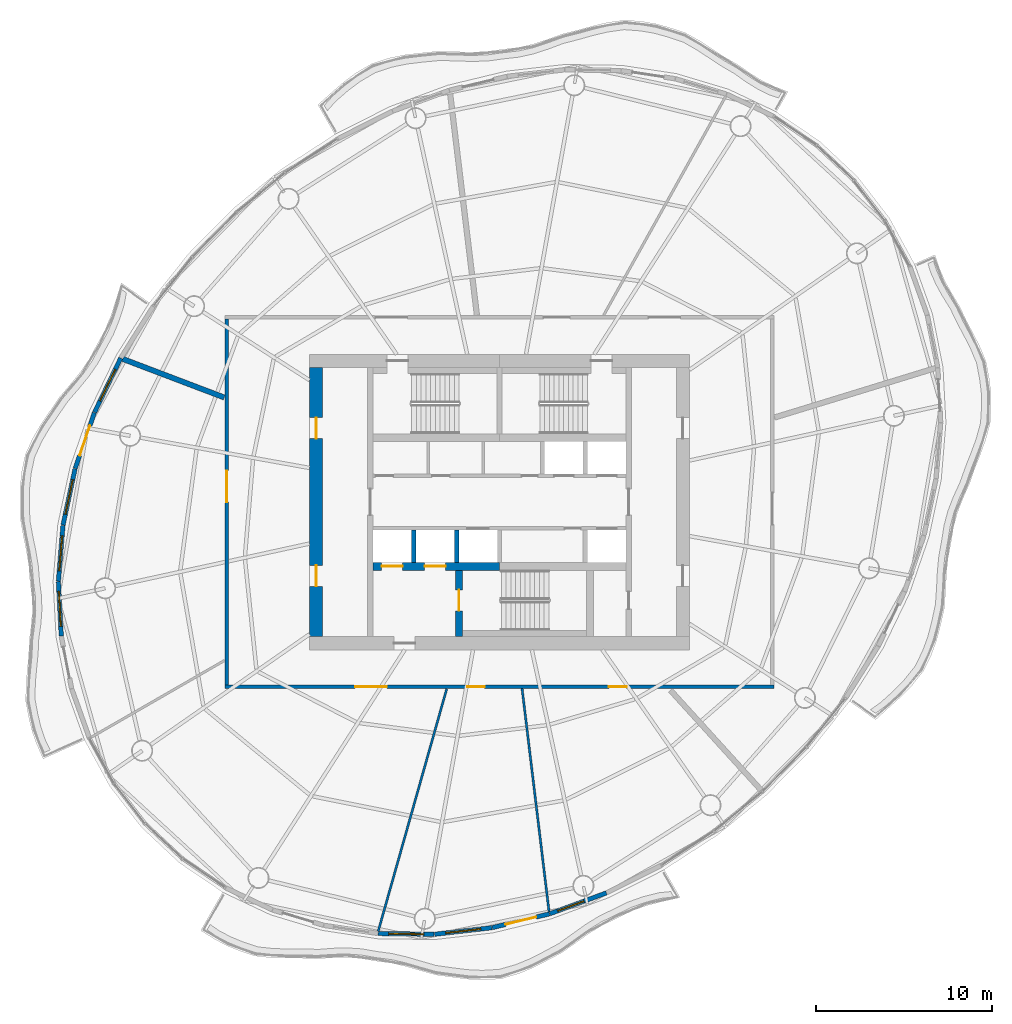
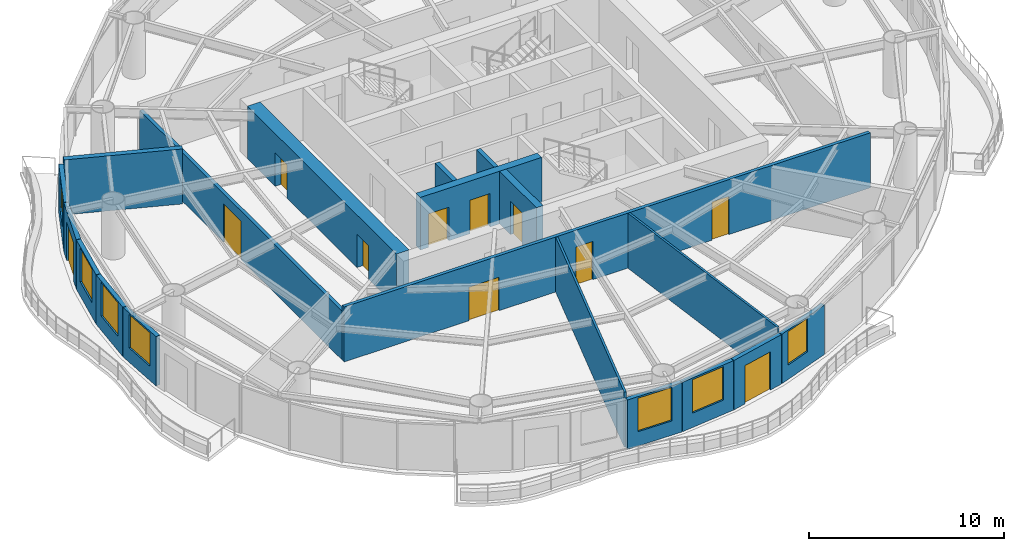
# One storey, part 8 of 14: 19 walls, 11 doors, 7 windows, 18 openings.
"""IFC4 building model written with IfcOpenShell, lengths in metres."""

from ifc_helpers import new_model, si_unit, direction, frame, frame_2d, origin, place, context, subcontext, project, spatial, rectangle, extrude, material, layer, layer_set, type_object, element, fill, save


model = new_model("IFC4")

# Units and contexts
model_context = context("Model", 3, precision=1e-05, world=origin(), true_north=direction((0.0, 1.0)))
body_context = subcontext(model_context, "Body", "Model", "MODEL_VIEW")
ifc_project = project(units=[si_unit("LENGTHUNIT", "METRE"), si_unit("AREAUNIT", "SQUARE_METRE"), si_unit("VOLUMEUNIT", "CUBIC_METRE"), si_unit("PLANEANGLEUNIT", "RADIAN"), si_unit("MASSUNIT", "GRAM", prefix="KILO")], contexts=[model_context])

# Site, building, storey
site_placement = place(None, origin())
site = spatial("IfcSite", under=ifc_project, at=site_placement, CompositionType="ELEMENT")
building_placement = place(site_placement, origin())
building = spatial("IfcBuilding", under=site, at=building_placement, Name="Vermilion Reach Broadcast Tower", CompositionType="ELEMENT")
storey_placement = place(building_placement, frame((0.0, 0.0, 202.89990234375)))
storey = spatial("IfcBuildingStorey", under=building, at=storey_placement, Name="L49", CompositionType="ELEMENT", Elevation=202.89990234375)

# Wall, opening, door
ifc_material_1 = material(Name="Concrete C60", Category="concrete")
ifc_layer_1 = layer(ifc_material_1, 0.39990234375)
ifc_layer_set_1 = layer_set([ifc_layer_1], Name="Core inner wall 400 mm Concrete C60")
wall_type_1 = type_object("IfcWallType", Name="Core inner wall 400 mm Concrete C60", PredefinedType="SHEAR", material=ifc_layer_set_1)
wall_1_placement = place(storey_placement, frame((-8.300048828125, -3.8798828125, 0.0), z_axis=(0.0, 0.0, 1.0), x_axis=(0.0, -1.0, 0.0)))
wall_1 = element("IfcWall", 1, at=wall_1_placement, inside=storey, type_object=wall_type_1, Name="L49 core wall wa", PredefinedType="SHEAR", context=body_context, shape_type="SweptSolid", body=[
    extrude(rectangle(XDim=3.77001953125, YDim=0.39990234375, at=frame_2d((1.885009765625, 0.0))), origin(), (0.0, 0.0, 1.0), 3.300048828125),
])
opening_1_placement = place(wall_1_placement, frame((1.110107421875, 0.0, 0.0)))
opening_1 = element("IfcOpeningElement", 2, at=opening_1_placement, cuts=wall_1, Name="Opening D01", PredefinedType="OPENING", context=body_context, shape_type="SweptSolid", body=[
    extrude(rectangle(XDim=1.199951171875, YDim=2.10009765625, at=frame_2d((0.60009765625, 1.050048828125))), frame((0.0, 0.2099609375, 0.0), z_axis=(0.0, -1.0, 0.0), x_axis=(1.0, 0.0, 0.0)), (0.0, 0.0, 1.0), 0.419921875),
])
ifc_material_2 = material(Name="Painted steel fire door", Category="steel")
door_type_1 = type_object("IfcDoorType", Name="Stair door 1200 x 2100", OperationType="DOUBLE_DOOR_SINGLE_SWING", PredefinedType="NOTDEFINED", material=ifc_material_2)
door_1_placement = place(opening_1_placement, origin())
door_1 = element("IfcDoor", 3, at=door_1_placement, inside=storey, type_object=door_type_1, Name="L49 stair door ST3", OperationType="DOUBLE_DOOR_SINGLE_SWING", OverallHeight=2.10009765625, OverallWidth=1.199951171875, PredefinedType="NOTDEFINED", context=body_context, shape_type="SweptSolid", body=[
    extrude(rectangle(XDim=1.199951171875, YDim=2.10009765625, at=frame_2d((0.60009765625, 1.050048828125))), frame((0.0, 0.02490234375, 0.0), z_axis=(0.0, -1.0, 0.0), x_axis=(1.0, 0.0, 0.0)), (0.0, 0.0, 1.0), 0.050048828125),
])
fill(opening_1, door_1)

# Wall, openings, doors
ifc_material_3 = material(Name="Concrete C60", Category="concrete")
ifc_layer_2 = layer(ifc_material_3, 0.449951171875)
ifc_layer_set_2 = layer_set([ifc_layer_2], Name="Core inner wall 450 mm Concrete C60")
wall_type_2 = type_object("IfcWallType", Name="Core inner wall 450 mm Concrete C60", PredefinedType="SHEAR", material=ifc_layer_set_2)
wall_2_placement = place(storey_placement, frame((-13.199951171875, -3.655029296875, 0.0), z_axis=(0.0, 0.0, 1.0), x_axis=(1.0, 0.0, 0.0)))
wall_2 = element("IfcWall", 4, at=wall_2_placement, inside=storey, type_object=wall_type_2, Name="L49 core wall wisW", PredefinedType="SHEAR", context=body_context, shape_type="SweptSolid", body=[
    extrude(rectangle(XDim=7.199951171875, YDim=0.449951171875, at=frame_2d((3.60009765625, 0.0))), origin(), (0.0, 0.0, 1.0), 3.300048828125),
])
opening_2_placement = place(wall_2_placement, frame((0.495849609375, 0.0, 0.0)))
opening_2 = element("IfcOpeningElement", 5, at=opening_2_placement, cuts=wall_2, Name="Opening LD1", PredefinedType="OPENING", context=body_context, shape_type="SweptSolid", body=[
    extrude(rectangle(XDim=1.199951171875, YDim=2.10009765625, at=frame_2d((0.60009765625, 1.050048828125))), frame((0.0, 0.23486328125, 0.0), z_axis=(0.0, -1.0, 0.0), x_axis=(1.0, 0.0, 0.0)), (0.0, 0.0, 1.0), 0.469970703125),
])
opening_3_placement = place(wall_2_placement, frame((2.9375, 0.0, 0.0)))
opening_3 = element("IfcOpeningElement", 6, at=opening_3_placement, cuts=wall_2, Name="Opening LD1", PredefinedType="OPENING", context=body_context, shape_type="SweptSolid", body=[
    extrude(rectangle(XDim=1.199951171875, YDim=2.10009765625, at=frame_2d((0.60009765625, 1.050048828125))), frame((0.0, 0.23486328125, 0.0), z_axis=(0.0, -1.0, 0.0), x_axis=(1.0, 0.0, 0.0)), (0.0, 0.0, 1.0), 0.469970703125),
])
ifc_material_4 = material(Name="Stainless steel", Category="steel")
door_type_2 = type_object("IfcDoorType", Name="Landing door 1200 x 2100", OperationType="DOUBLE_DOOR_SLIDING", PredefinedType="NOTDEFINED", material=ifc_material_4)
door_2_placement = place(opening_2_placement, origin())
door_2 = element("IfcDoor", 7, at=door_2_placement, inside=storey, type_object=door_type_2, Name="L49 landing door FF1", OperationType="DOUBLE_DOOR_SLIDING", OverallHeight=2.10009765625, OverallWidth=1.199951171875, PredefinedType="NOTDEFINED", context=body_context, shape_type="SweptSolid", body=[
    extrude(rectangle(XDim=1.199951171875, YDim=2.10009765625, at=frame_2d((0.60009765625, 1.050048828125))), frame((0.0, 0.02490234375, 0.0), z_axis=(0.0, -1.0, 0.0), x_axis=(1.0, 0.0, 0.0)), (0.0, 0.0, 1.0), 0.050048828125),
])
fill(opening_2, door_2)
door_3_placement = place(opening_3_placement, origin())
door_3 = element("IfcDoor", 8, at=door_3_placement, inside=storey, type_object=door_type_2, Name="L49 landing door FF2", OperationType="DOUBLE_DOOR_SLIDING", OverallHeight=2.10009765625, OverallWidth=1.199951171875, PredefinedType="NOTDEFINED", context=body_context, shape_type="SweptSolid", body=[
    extrude(rectangle(XDim=1.199951171875, YDim=2.10009765625, at=frame_2d((0.60009765625, 1.050048828125))), frame((0.0, 0.02490234375, 0.0), z_axis=(0.0, -1.0, 0.0), x_axis=(1.0, 0.0, 0.0)), (0.0, 0.0, 1.0), 0.050048828125),
])
fill(opening_3, door_3)

ifc_material_5 = material(Name="Concrete C60", Category="concrete")
ifc_layer_3 = layer(ifc_material_5, 0.75)
ifc_layer_set_3 = layer_set([ifc_layer_3], Name="Core outer wall 750 mm Concrete C60")
wall_type_3 = type_object("IfcWallType", Name="Core outer wall 750 mm Concrete C60", PredefinedType="SHEAR", material=ifc_layer_set_3)
wall_3_placement = place(storey_placement, frame((-16.425048828125, 7.64990234375, 0.0), z_axis=(0.0, 0.0, 1.0), x_axis=(0.0, -1.0, 0.0)))
wall_3 = element("IfcWall", 9, at=wall_3_placement, inside=storey, type_object=wall_type_3, Name="L49 core wall ow", PredefinedType="SHEAR", context=body_context, shape_type="SweptSolid", body=[
    extrude(rectangle(XDim=15.2998046875, YDim=0.75, at=frame_2d((7.64990234375, 0.0))), origin(), (0.0, 0.0, 1.0), 3.300048828125),
])
opening_4_placement = place(wall_3_placement, frame((11.25, 0.0, 0.0)))
opening_4 = element("IfcOpeningElement", 10, at=opening_4_placement, cuts=wall_3, Name="Opening D03", PredefinedType="OPENING", context=body_context, shape_type="SweptSolid", body=[
    extrude(rectangle(XDim=1.199951171875, YDim=2.10009765625, at=frame_2d((0.60009765625, 1.050048828125))), frame((0.0, 0.385009765625, 0.0), z_axis=(0.0, -1.0, 0.0), x_axis=(1.0, 0.0, 0.0)), (0.0, 0.0, 1.0), 0.77001953125),
])
opening_5_placement = place(wall_3_placement, frame((2.85009765625, 0.0, 0.0)))
opening_5 = element("IfcOpeningElement", 11, at=opening_5_placement, cuts=wall_3, Name="Opening D03", PredefinedType="OPENING", context=body_context, shape_type="SweptSolid", body=[
    extrude(rectangle(XDim=1.199951171875, YDim=2.10009765625, at=frame_2d((0.60009765625, 1.050048828125))), frame((0.0, 0.385009765625, 0.0), z_axis=(0.0, -1.0, 0.0), x_axis=(1.0, 0.0, 0.0)), (0.0, 0.0, 1.0), 0.77001953125),
])
ifc_material_6 = material(Name="Painted steel fire door", Category="steel")
door_type_3 = type_object("IfcDoorType", Name="Core lobby door 1200 x 2100", OperationType="DOUBLE_DOOR_SINGLE_SWING", PredefinedType="NOTDEFINED", material=ifc_material_6)
door_4_placement = place(opening_4_placement, origin())
door_4 = element("IfcDoor", 12, at=door_4_placement, inside=storey, type_object=door_type_3, Name="L49 slot door W0", OperationType="DOUBLE_DOOR_SINGLE_SWING", OverallHeight=2.10009765625, OverallWidth=1.199951171875, PredefinedType="NOTDEFINED", context=body_context, shape_type="SweptSolid", body=[
    extrude(rectangle(XDim=1.199951171875, YDim=2.10009765625, at=frame_2d((0.60009765625, 1.050048828125))), frame((0.0, 0.02490234375, 0.0), z_axis=(0.0, -1.0, 0.0), x_axis=(1.0, 0.0, 0.0)), (0.0, 0.0, 1.0), 0.050048828125),
])
fill(opening_4, door_4)
door_5_placement = place(opening_5_placement, origin())
door_5 = element("IfcDoor", 13, at=door_5_placement, inside=storey, type_object=door_type_3, Name="L49 slot door W1", OperationType="DOUBLE_DOOR_SINGLE_SWING", OverallHeight=2.10009765625, OverallWidth=1.199951171875, PredefinedType="NOTDEFINED", context=body_context, shape_type="SweptSolid", body=[
    extrude(rectangle(XDim=1.199951171875, YDim=2.10009765625, at=frame_2d((0.60009765625, 1.050048828125))), frame((0.0, 0.02490234375, 0.0), z_axis=(0.0, -1.0, 0.0), x_axis=(1.0, 0.0, 0.0)), (0.0, 0.0, 1.0), 0.050048828125),
])
fill(opening_5, door_5)

# Walls
ifc_material_7 = material(Name="Concrete C50", Category="concrete")
ifc_layer_4 = layer(ifc_material_7, 0.25)
ifc_layer_set_4 = layer_set([ifc_layer_4], Name="Core shaft wall 250 mm Concrete C50")
wall_type_4 = type_object("IfcWallType", Name="Core shaft wall 250 mm Concrete C50", PredefinedType="SHEAR", material=ifc_layer_set_4)
for number, where, z_axis, x_axis, name in (
    (14, (-10.88330078125, -1.60009765625, 0.0), (0.0, 0.0, 1.0), (0.0, -1.0, 0.0), "L49 core wall psS0"),
    (15, (-8.441650390625, -1.60009765625, 0.0), (0.0, 0.0, 1.0), (0.0, -1.0, 0.0), "L49 core wall psS1"),
):
    element("IfcWall", number, at=place(storey_placement, frame(where, z_axis=z_axis, x_axis=x_axis)), inside=storey, type_object=wall_type_4, Name=name, PredefinedType="SHEAR", context=body_context, shape_type="SweptSolid", body=[
        extrude(rectangle(XDim=1.829833984375, YDim=0.25, at=frame_2d((0.9150390625, 0.0))), origin(), (0.0, 0.0, 1.0), 3.300048828125),
    ])

# Wall, openings, doors
ifc_material_8 = material(Name="Fire-rated gypsum board partition")
ifc_layer_5 = layer(ifc_material_8, 0.199951171875)
ifc_layer_set_5 = layer_set([ifc_layer_5], Name="Corridor wall 200 fire-rated")
wall_type_5 = type_object("IfcWallType", Name="Corridor wall 200 fire-rated", PredefinedType="PARTITIONING", material=ifc_layer_set_5)
wall_4_placement = place(storey_placement, frame((9.60009765625, -10.5, 0.0), z_axis=(0.0, 0.0, 1.0), x_axis=(-1.0, 0.0, 0.0)))
wall_4 = element("IfcWall", 16, at=wall_4_placement, inside=storey, type_object=wall_type_5, Name="Corridor wall 49.S", PredefinedType="PARTITIONING", context=body_context, shape_type="SweptSolid", body=[
    extrude(rectangle(XDim=31.2001953125, YDim=0.199951171875, at=frame_2d((15.60009765625, 0.0))), origin(), (0.0, 0.0, 1.0), 3.4501953125),
])
opening_6_placement = place(wall_4_placement, frame((22.001953125, 0.0, 0.0)))
opening_6 = element("IfcOpeningElement", 17, at=opening_6_placement, cuts=wall_4, Name="Opening D21", PredefinedType="OPENING", context=body_context, shape_type="SweptSolid", body=[
    extrude(rectangle(XDim=1.800048828125, YDim=2.10009765625, at=frame_2d((0.89990234375, 1.050048828125))), frame((0.0, 0.10986328125, 0.0), z_axis=(0.0, -1.0, 0.0), x_axis=(1.0, 0.0, 0.0)), (0.0, 0.0, 1.0), 0.219970703125),
])
opening_7_placement = place(wall_4_placement, frame((16.447509765625, 0.0, 0.0)))
opening_7 = element("IfcOpeningElement", 18, at=opening_7_placement, cuts=wall_4, Name="Opening D23", PredefinedType="OPENING", context=body_context, shape_type="SweptSolid", body=[
    extrude(rectangle(XDim=1.0, YDim=2.39990234375, at=frame_2d((0.5, 1.199951171875))), frame((0.0, 0.10986328125, 0.0), z_axis=(0.0, -1.0, 0.0), x_axis=(1.0, 0.0, 0.0)), (0.0, 0.0, 1.0), 0.219970703125),
])
opening_8_placement = place(wall_4_placement, frame((8.3779296875, 0.0, 0.0)))
opening_8 = element("IfcOpeningElement", 19, at=opening_8_placement, cuts=wall_4, Name="Opening D23", PredefinedType="OPENING", context=body_context, shape_type="SweptSolid", body=[
    extrude(rectangle(XDim=1.0, YDim=2.39990234375, at=frame_2d((0.5, 1.199951171875))), frame((0.0, 0.10986328125, 0.0), z_axis=(0.0, -1.0, 0.0), x_axis=(1.0, 0.0, 0.0)), (0.0, 0.0, 1.0), 0.219970703125),
])
ifc_material_9 = material(Name="Timber door leaf", Category="wood")
door_type_4 = type_object("IfcDoorType", Name="Door pair 1800x2100", OperationType="NOTDEFINED", PredefinedType="DOOR", material=ifc_material_9)
door_6_placement = place(opening_6_placement, origin())
door_6 = element("IfcDoor", 20, at=door_6_placement, inside=storey, type_object=door_type_4, Name="Door 49.04", OperationType="DOUBLE_DOOR_SINGLE_SWING", OverallHeight=2.10009765625, OverallWidth=1.800048828125, PredefinedType="DOOR", context=body_context, shape_type="SweptSolid", body=[
    extrude(rectangle(XDim=1.800048828125, YDim=2.10009765625, at=frame_2d((0.89990234375, 1.050048828125))), frame((0.0, 0.02490234375, 0.0), z_axis=(0.0, -1.0, 0.0), x_axis=(1.0, 0.0, 0.0)), (0.0, 0.0, 1.0), 0.050048828125),
])
fill(opening_6, door_6)
ifc_material_10 = material(Name="Veneered timber door leaf", Category="wood")
door_type_5 = type_object("IfcDoorType", Name="Door single 1000x2400", OperationType="NOTDEFINED", PredefinedType="DOOR", material=ifc_material_10)
door_7_placement = place(opening_7_placement, origin())
door_7 = element("IfcDoor", 21, at=door_7_placement, inside=storey, type_object=door_type_5, Name="Door 49.05", OperationType="SINGLE_SWING_RIGHT", OverallHeight=2.39990234375, OverallWidth=1.0, PredefinedType="DOOR", context=body_context, shape_type="SweptSolid", body=[
    extrude(rectangle(XDim=1.0, YDim=2.39990234375, at=frame_2d((0.5, 1.199951171875))), frame((0.0, 0.02490234375, 0.0), z_axis=(0.0, -1.0, 0.0), x_axis=(1.0, 0.0, 0.0)), (0.0, 0.0, 1.0), 0.050048828125),
])
fill(opening_7, door_7)
door_8_placement = place(opening_8_placement, origin())
door_8 = element("IfcDoor", 22, at=door_8_placement, inside=storey, type_object=door_type_5, Name="Door 49.06", OperationType="SINGLE_SWING_LEFT", OverallHeight=2.39990234375, OverallWidth=1.0, PredefinedType="DOOR", context=body_context, shape_type="SweptSolid", body=[
    extrude(rectangle(XDim=1.0, YDim=2.39990234375, at=frame_2d((0.5, 1.199951171875))), frame((0.0, 0.02490234375, 0.0), z_axis=(0.0, -1.0, 0.0), x_axis=(1.0, 0.0, 0.0)), (0.0, 0.0, 1.0), 0.050048828125),
])
fill(opening_8, door_8)

# Walls
ifc_material_11 = material(Name="Fire-rated plasterboard on steel stud", Category="steel")
ifc_layer_6 = layer(ifc_material_11, 0.125)
ifc_layer_set_6 = layer_set([ifc_layer_6], Name="Partition 125 fire-rated stud")
wall_type_6 = type_object("IfcWallType", Name="Partition 125 fire-rated stud", PredefinedType="PARTITIONING", material=ifc_layer_set_6)
wall_5_placement = place(storey_placement, frame((-12.89697265625, -24.403076171875, 0.0), z_axis=(0.0, 0.0, 1.0), x_axis=(0.271967297308, 0.962306494416, 0.0)))
element("IfcWall", 23, at=wall_5_placement, inside=storey, type_object=wall_type_6, Name="Partition 49.05", PredefinedType="PARTITIONING", context=body_context, shape_type="SweptSolid", body=[
    extrude(rectangle(XDim=14.326171875, YDim=0.125, at=frame_2d((7.1630859375, 0.0))), origin(), (0.0, 0.0, 1.0), 3.4501953125),
])
wall_6_placement = place(storey_placement, frame((-3.18359375, -23.288818359375, 0.0), z_axis=(0.0, 0.0, 1.0), x_axis=(-0.12006537802, 0.992765987029, 0.0)))
element("IfcWall", 24, at=wall_6_placement, inside=storey, type_object=wall_type_6, Name="Partition 49.06", PredefinedType="PARTITIONING", context=body_context, shape_type="SweptSolid", body=[
    extrude(rectangle(XDim=12.773681640625, YDim=0.125, at=frame_2d((6.38671875, 0.0))), origin(), (0.0, 0.0, 1.0), 3.4501953125),
])
ifc_material_12 = material(Name="Double-leaf plasterboard on isolated steel stud", Category="steel")
ifc_layer_7 = layer(ifc_material_12, 0.300048828125)
ifc_layer_set_7 = layer_set([ifc_layer_7], Name="Partition 300 acoustic double leaf")
wall_type_7 = type_object("IfcWallType", Name="Partition 300 acoustic double leaf", PredefinedType="PARTITIONING", material=ifc_layer_set_7)
wall_7_placement = place(storey_placement, frame((-27.418701171875, 8.134033203125, 0.0), z_axis=(0.0, 0.0, 1.0), x_axis=(0.934858486825, -0.355020576322, 0.0)))
element("IfcWall", 25, at=wall_7_placement, inside=storey, type_object=wall_type_7, Name="Partition 49.03", PredefinedType="PARTITIONING", context=body_context, shape_type="SweptSolid", body=[
    extrude(rectangle(XDim=6.167236328125, YDim=0.300048828125, at=frame_2d((3.08349609375, 0.0))), origin(), (0.0, 0.0, 1.0), 3.4501953125),
])

# Wall, opening, window
ifc_material_13 = material(Name="Terracotta rainscreen cladding", Category="masonry")
ifc_layer_8 = layer(ifc_material_13, 0.25)
ifc_layer_set_8 = layer_set([ifc_layer_8], Name="Terracotta rainscreen wall 250")
wall_type_8 = type_object("IfcWallType", Name="Terracotta rainscreen wall 250", PredefinedType="SOLIDWALL", material=ifc_layer_set_8)
wall_8_placement = place(storey_placement, frame((-27.53271484375, 8.184814453125, 0.0), z_axis=(0.0, 0.0, 1.0), x_axis=(-0.434561601859, -0.900642112156, 0.0)))
wall_8 = element("IfcWall", 26, at=wall_8_placement, inside=storey, type_object=wall_type_8, Name="External wall L49 15", PredefinedType="SOLIDWALL", context=body_context, shape_type="SweptSolid", body=[
    extrude(rectangle(XDim=3.423583984375, YDim=0.25, at=frame_2d((1.7119140625, 0.0))), origin(), (0.0, 0.0, 1.0), 3.10009765625),
])
opening_9_placement = place(wall_8_placement, frame((0.711669921875, 0.0, 0.89990234375)))
opening_9 = element("IfcOpeningElement", 27, at=opening_9_placement, cuts=wall_8, Name="Opening W03", PredefinedType="OPENING", context=body_context, shape_type="SweptSolid", body=[
    extrude(rectangle(XDim=2.0, YDim=2.10009765625, at=frame_2d((1.0, 1.050048828125))), frame((0.0, 0.135009765625, 0.0), z_axis=(0.0, -1.0, 0.0), x_axis=(1.0, 0.0, 0.0)), (0.0, 0.0, 1.0), 0.27001953125),
])
ifc_material_14 = material(Name="Low-e laminated clear glass in aluminium frame", Category="aluminium")
window_type_1 = type_object("IfcWindowType", Name="Punched window 2000 x 2100 sill 900", PartitioningType="SINGLE_PANEL", PredefinedType="WINDOW", material=ifc_material_14)
window_1_placement = place(opening_9_placement, origin())
window_1 = element("IfcWindow", 28, at=window_1_placement, inside=storey, type_object=window_type_1, Name="Window L49 15", OverallHeight=2.10009765625, OverallWidth=2.0, PartitioningType="SINGLE_PANEL", PredefinedType="WINDOW", context=body_context, shape_type="SweptSolid", body=[
    extrude(rectangle(XDim=2.0, YDim=2.10009765625, at=frame_2d((1.0, 1.050048828125))), frame((0.0, 0.030029296875, 0.0), z_axis=(0.0, -1.0, 0.0), x_axis=(1.0, 0.0, 0.0)), (0.0, 0.0, 1.0), 0.06005859375),
])
fill(opening_9, window_1)

# Wall, opening, door
wall_9_placement = place(storey_placement, frame((-29.029052734375, 5.08056640625, 0.0), z_axis=(0.0, 0.0, 1.0), x_axis=(-0.326545099428, -0.945181621721, 0.0)))
wall_9 = element("IfcWall", 29, at=wall_9_placement, inside=storey, type_object=wall_type_8, Name="External wall L49 16", PredefinedType="SOLIDWALL", context=body_context, shape_type="SweptSolid", body=[
    extrude(rectangle(XDim=3.351806640625, YDim=0.25, at=frame_2d((1.67578125, 0.0))), origin(), (0.0, 0.0, 1.0), 3.10009765625),
])
opening_10_placement = place(wall_9_placement, frame((0.77587890625, 0.0, 0.0)))
opening_10 = element("IfcOpeningElement", 30, at=opening_10_placement, cuts=wall_9, Name="Opening D70", PredefinedType="OPENING", context=body_context, shape_type="SweptSolid", body=[
    extrude(rectangle(XDim=1.800048828125, YDim=2.39990234375, at=frame_2d((0.89990234375, 1.199951171875))), frame((0.0, 0.135009765625, 0.0), z_axis=(0.0, -1.0, 0.0), x_axis=(1.0, 0.0, 0.0)), (0.0, 0.0, 1.0), 0.27001953125),
])
ifc_material_15 = material(Name="Low-e laminated clear glass in aluminium frame", Category="aluminium")
door_type_6 = type_object("IfcDoorType", Name="Balcony sliding door 1800 x 2400", OperationType="DOUBLE_DOOR_SLIDING", PredefinedType="DOOR", material=ifc_material_15)
door_9_placement = place(opening_10_placement, origin())
door_9 = element("IfcDoor", 31, at=door_9_placement, inside=storey, type_object=door_type_6, Name="Balcony door L49 run 04", OperationType="DOUBLE_DOOR_SLIDING", OverallHeight=2.39990234375, OverallWidth=1.800048828125, PredefinedType="DOOR", context=body_context, shape_type="SweptSolid", body=[
    extrude(rectangle(XDim=1.800048828125, YDim=2.39990234375, at=frame_2d((0.89990234375, 1.199951171875))), frame((0.0, 0.02490234375, 0.0), z_axis=(0.0, -1.0, 0.0), x_axis=(1.0, 0.0, 0.0)), (0.0, 0.0, 1.0), 0.050048828125),
])
fill(opening_10, door_9)

# Wall, opening, window
wall_10_placement = place(storey_placement, frame((-30.129638671875, 1.89013671875, 0.0), z_axis=(0.0, 0.0, 1.0), x_axis=(-0.208906976356, -0.977935516908, 0.0)))
wall_10 = element("IfcWall", 32, at=wall_10_placement, inside=storey, type_object=wall_type_8, Name="External wall L49 17", PredefinedType="SOLIDWALL", context=body_context, shape_type="SweptSolid", body=[
    extrude(rectangle(XDim=3.27001953125, YDim=0.25, at=frame_2d((1.635009765625, 0.0))), origin(), (0.0, 0.0, 1.0), 3.10009765625),
])
opening_11_placement = place(wall_10_placement, frame((0.634765625, 0.0, 0.89990234375)))
opening_11 = element("IfcOpeningElement", 33, at=opening_11_placement, cuts=wall_10, Name="Opening W03", PredefinedType="OPENING", context=body_context, shape_type="SweptSolid", body=[
    extrude(rectangle(XDim=2.0, YDim=2.10009765625, at=frame_2d((1.0, 1.050048828125))), frame((0.0, 0.135009765625, 0.0), z_axis=(0.0, -1.0, 0.0), x_axis=(1.0, 0.0, 0.0)), (0.0, 0.0, 1.0), 0.27001953125),
])
window_2_placement = place(opening_11_placement, origin())
window_2 = element("IfcWindow", 34, at=window_2_placement, inside=storey, type_object=window_type_1, Name="Window L49 17", OverallHeight=2.10009765625, OverallWidth=2.0, PartitioningType="SINGLE_PANEL", PredefinedType="WINDOW", context=body_context, shape_type="SweptSolid", body=[
    extrude(rectangle(XDim=2.0, YDim=2.10009765625, at=frame_2d((1.0, 1.050048828125))), frame((0.0, 0.030029296875, 0.0), z_axis=(0.0, -1.0, 0.0), x_axis=(1.0, 0.0, 0.0)), (0.0, 0.0, 1.0), 0.06005859375),
])
fill(opening_11, window_2)

wall_11_placement = place(storey_placement, frame((-30.816162109375, -1.331298828125, 0.0), z_axis=(0.0, 0.0, 1.0), x_axis=(-0.082004278311, -0.996631977381, 0.0)))
wall_11 = element("IfcWall", 35, at=wall_11_placement, inside=storey, type_object=wall_type_8, Name="External wall L49 18", PredefinedType="SOLIDWALL", context=body_context, shape_type="SweptSolid", body=[
    extrude(rectangle(XDim=3.1826171875, YDim=0.25, at=frame_2d((1.59130859375, 0.0))), origin(), (0.0, 0.0, 1.0), 3.10009765625),
])
opening_12_placement = place(wall_11_placement, frame((0.59130859375, 0.0, 0.89990234375)))
opening_12 = element("IfcOpeningElement", 36, at=opening_12_placement, cuts=wall_11, Name="Opening W03", PredefinedType="OPENING", context=body_context, shape_type="SweptSolid", body=[
    extrude(rectangle(XDim=2.0, YDim=2.10009765625, at=frame_2d((1.0, 1.050048828125))), frame((0.0, 0.135009765625, 0.0), z_axis=(0.0, -1.0, 0.0), x_axis=(1.0, 0.0, 0.0)), (0.0, 0.0, 1.0), 0.27001953125),
])
window_3_placement = place(opening_12_placement, origin())
window_3 = element("IfcWindow", 37, at=window_3_placement, inside=storey, type_object=window_type_1, Name="Window L49 18", OverallHeight=2.10009765625, OverallWidth=2.0, PartitioningType="SINGLE_PANEL", PredefinedType="WINDOW", context=body_context, shape_type="SweptSolid", body=[
    extrude(rectangle(XDim=2.0, YDim=2.10009765625, at=frame_2d((1.0, 1.050048828125))), frame((0.0, 0.030029296875, 0.0), z_axis=(0.0, -1.0, 0.0), x_axis=(1.0, 0.0, 0.0)), (0.0, 0.0, 1.0), 0.06005859375),
])
fill(opening_12, window_3)

wall_12_placement = place(storey_placement, frame((-31.07763671875, -4.528076171875, 0.0), z_axis=(0.0, 0.0, 1.0), x_axis=(0.053150699104, -0.998586502605, 0.0)))
wall_12 = element("IfcWall", 38, at=wall_12_placement, inside=storey, type_object=wall_type_8, Name="External wall L49 19", PredefinedType="SOLIDWALL", context=body_context, shape_type="SweptSolid", body=[
    extrude(rectangle(XDim=3.095947265625, YDim=0.25, at=frame_2d((1.5478515625, 0.0))), origin(), (0.0, 0.0, 1.0), 3.10009765625),
])
opening_13_placement = place(wall_12_placement, frame((0.548095703125, 0.0, 0.89990234375)))
opening_13 = element("IfcOpeningElement", 39, at=opening_13_placement, cuts=wall_12, Name="Opening W03", PredefinedType="OPENING", context=body_context, shape_type="SweptSolid", body=[
    extrude(rectangle(XDim=2.0, YDim=2.10009765625, at=frame_2d((1.0, 1.050048828125))), frame((0.0, 0.135009765625, 0.0), z_axis=(0.0, -1.0, 0.0), x_axis=(1.0, 0.0, 0.0)), (0.0, 0.0, 1.0), 0.27001953125),
])
window_4_placement = place(opening_13_placement, origin())
window_4 = element("IfcWindow", 40, at=window_4_placement, inside=storey, type_object=window_type_1, Name="Window L49 19", OverallHeight=2.10009765625, OverallWidth=2.0, PartitioningType="SINGLE_PANEL", PredefinedType="WINDOW", context=body_context, shape_type="SweptSolid", body=[
    extrude(rectangle(XDim=2.0, YDim=2.10009765625, at=frame_2d((1.0, 1.050048828125))), frame((0.0, 0.030029296875, 0.0), z_axis=(0.0, -1.0, 0.0), x_axis=(1.0, 0.0, 0.0)), (0.0, 0.0, 1.0), 0.06005859375),
])
fill(opening_13, window_4)

wall_13_placement = place(storey_placement, frame((-12.89453125, -24.52783203125, 0.0), z_axis=(0.0, 0.0, 1.0), x_axis=(0.999898209439, -0.014267822551, 0.0)))
wall_13 = element("IfcWall", 41, at=wall_13_placement, inside=storey, type_object=wall_type_8, Name="External wall L49 29", PredefinedType="SOLIDWALL", context=body_context, shape_type="SweptSolid", body=[
    extrude(rectangle(XDim=3.1826171875, YDim=0.25, at=frame_2d((1.59130859375, 0.0))), origin(), (0.0, 0.0, 1.0), 3.10009765625),
])
opening_14_placement = place(wall_13_placement, frame((0.59130859375, 0.0, 0.89990234375)))
opening_14 = element("IfcOpeningElement", 42, at=opening_14_placement, cuts=wall_13, Name="Opening W03", PredefinedType="OPENING", context=body_context, shape_type="SweptSolid", body=[
    extrude(rectangle(XDim=2.0, YDim=2.10009765625, at=frame_2d((1.0, 1.050048828125))), frame((0.0, 0.135009765625, 0.0), z_axis=(0.0, -1.0, 0.0), x_axis=(1.0, 0.0, 0.0)), (0.0, 0.0, 1.0), 0.27001953125),
])
window_5_placement = place(opening_14_placement, origin())
window_5 = element("IfcWindow", 43, at=window_5_placement, inside=storey, type_object=window_type_1, Name="Window L49 29", OverallHeight=2.10009765625, OverallWidth=2.0, PartitioningType="SINGLE_PANEL", PredefinedType="WINDOW", context=body_context, shape_type="SweptSolid", body=[
    extrude(rectangle(XDim=2.0, YDim=2.10009765625, at=frame_2d((1.0, 1.050048828125))), frame((0.0, 0.030029296875, 0.0), z_axis=(0.0, -1.0, 0.0), x_axis=(1.0, 0.0, 0.0)), (0.0, 0.0, 1.0), 0.06005859375),
])
fill(opening_14, window_5)

wall_14_placement = place(storey_placement, frame((-9.688232421875, -24.572021484375, 0.0), z_axis=(0.0, 0.0, 1.0), x_axis=(0.99349628186, 0.113864559585, 0.0)))
wall_14 = element("IfcWall", 44, at=wall_14_placement, inside=storey, type_object=wall_type_8, Name="External wall L49 30", PredefinedType="SOLIDWALL", context=body_context, shape_type="SweptSolid", body=[
    extrude(rectangle(XDim=3.269775390625, YDim=0.25, at=frame_2d((1.634765625, 0.0))), origin(), (0.0, 0.0, 1.0), 3.10009765625),
])
opening_15_placement = place(wall_14_placement, frame((0.634765625, 0.0, 0.89990234375)))
opening_15 = element("IfcOpeningElement", 45, at=opening_15_placement, cuts=wall_14, Name="Opening W03", PredefinedType="OPENING", context=body_context, shape_type="SweptSolid", body=[
    extrude(rectangle(XDim=2.0, YDim=2.10009765625, at=frame_2d((1.0, 1.050048828125))), frame((0.0, 0.135009765625, 0.0), z_axis=(0.0, -1.0, 0.0), x_axis=(1.0, 0.0, 0.0)), (0.0, 0.0, 1.0), 0.27001953125),
])
window_6_placement = place(opening_15_placement, origin())
window_6 = element("IfcWindow", 46, at=window_6_placement, inside=storey, type_object=window_type_1, Name="Window L49 30", OverallHeight=2.10009765625, OverallWidth=2.0, PartitioningType="SINGLE_PANEL", PredefinedType="WINDOW", context=body_context, shape_type="SweptSolid", body=[
    extrude(rectangle(XDim=2.0, YDim=2.10009765625, at=frame_2d((1.0, 1.050048828125))), frame((0.0, 0.030029296875, 0.0), z_axis=(0.0, -1.0, 0.0), x_axis=(1.0, 0.0, 0.0)), (0.0, 0.0, 1.0), 0.06005859375),
])
fill(opening_15, window_6)

# Wall, opening, door
wall_15_placement = place(storey_placement, frame((-6.4169921875, -24.195556640625, 0.0), z_axis=(0.0, 0.0, 1.0), x_axis=(0.972213814668, 0.234094635926, 0.0)))
wall_15 = element("IfcWall", 47, at=wall_15_placement, inside=storey, type_object=wall_type_8, Name="External wall L49 31", PredefinedType="SOLIDWALL", context=body_context, shape_type="SweptSolid", body=[
    extrude(rectangle(XDim=3.351806640625, YDim=0.25, at=frame_2d((1.67578125, 0.0))), origin(), (0.0, 0.0, 1.0), 3.10009765625),
])
opening_16_placement = place(wall_15_placement, frame((0.77587890625, 0.0, 0.0)))
opening_16 = element("IfcOpeningElement", 48, at=opening_16_placement, cuts=wall_15, Name="Opening D70", PredefinedType="OPENING", context=body_context, shape_type="SweptSolid", body=[
    extrude(rectangle(XDim=1.800048828125, YDim=2.39990234375, at=frame_2d((0.89990234375, 1.199951171875))), frame((0.0, 0.135009765625, 0.0), z_axis=(0.0, -1.0, 0.0), x_axis=(1.0, 0.0, 0.0)), (0.0, 0.0, 1.0), 0.27001953125),
])
door_10_placement = place(opening_16_placement, origin())
door_10 = element("IfcDoor", 49, at=door_10_placement, inside=storey, type_object=door_type_6, Name="Balcony door L49 run 08", OperationType="DOUBLE_DOOR_SLIDING", OverallHeight=2.39990234375, OverallWidth=1.800048828125, PredefinedType="DOOR", context=body_context, shape_type="SweptSolid", body=[
    extrude(rectangle(XDim=1.800048828125, YDim=2.39990234375, at=frame_2d((0.89990234375, 1.199951171875))), frame((0.0, 0.02490234375, 0.0), z_axis=(0.0, -1.0, 0.0), x_axis=(1.0, 0.0, 0.0)), (0.0, 0.0, 1.0), 0.050048828125),
])
fill(opening_16, door_10)

# Wall, opening, window
wall_16_placement = place(storey_placement, frame((-3.13671875, -23.404296875, 0.0), z_axis=(0.0, 0.0, 1.0), x_axis=(0.93828100614, 0.345873898288, 0.0)))
wall_16 = element("IfcWall", 50, at=wall_16_placement, inside=storey, type_object=wall_type_8, Name="External wall L49 32", PredefinedType="SOLIDWALL", context=body_context, shape_type="SweptSolid", body=[
    extrude(rectangle(XDim=3.42333984375, YDim=0.25, at=frame_2d((1.711669921875, 0.0))), origin(), (0.0, 0.0, 1.0), 3.10009765625),
])
opening_17_placement = place(wall_16_placement, frame((0.4619140625, 0.0, 0.89990234375)))
opening_17 = element("IfcOpeningElement", 51, at=opening_17_placement, cuts=wall_16, Name="Opening W04", PredefinedType="OPENING", context=body_context, shape_type="SweptSolid", body=[
    extrude(rectangle(XDim=1.60009765625, YDim=2.10009765625, at=frame_2d((0.800048828125, 1.050048828125))), frame((0.0, 0.135009765625, 0.0), z_axis=(0.0, -1.0, 0.0), x_axis=(1.0, 0.0, 0.0)), (0.0, 0.0, 1.0), 0.27001953125),
])
ifc_material_16 = material(Name="Low-e laminated clear glass in aluminium frame", Category="aluminium")
window_type_2 = type_object("IfcWindowType", Name="Punched window 1600 x 2100 sill 900", PartitioningType="SINGLE_PANEL", PredefinedType="WINDOW", material=ifc_material_16)
window_7_placement = place(opening_17_placement, origin())
window_7 = element("IfcWindow", 52, at=window_7_placement, inside=storey, type_object=window_type_2, Name="Window L49 32", OverallHeight=2.10009765625, OverallWidth=1.60009765625, PartitioningType="SINGLE_PANEL", PredefinedType="WINDOW", context=body_context, shape_type="SweptSolid", body=[
    extrude(rectangle(XDim=1.60009765625, YDim=2.10009765625, at=frame_2d((0.800048828125, 1.050048828125))), frame((0.0, 0.030029296875, 0.0), z_axis=(0.0, -1.0, 0.0), x_axis=(1.0, 0.0, 0.0)), (0.0, 0.0, 1.0), 0.06005859375),
])
fill(opening_17, window_7)

# Wall, opening, door
ifc_material_17 = material(Name="Fire-rated gypsum board partition")
ifc_layer_9 = layer(ifc_material_17, 0.199951171875)
ifc_layer_set_9 = layer_set([ifc_layer_9], Name="Under girder: Corridor wall 200 fire-rated")
wall_type_9 = type_object("IfcWallType", Name="Under girder: Corridor wall 200 fire-rated", PredefinedType="PARTITIONING", material=ifc_layer_set_9)
wall_17_placement = place(storey_placement, frame((-21.5, -10.39990234375, 0.0), z_axis=(0.0, 0.0, 1.0), x_axis=(0.0, 1.0, 0.0)))
wall_17 = element("IfcWall", 53, at=wall_17_placement, inside=storey, type_object=wall_type_9, Name="Corridor wall 49.W", PredefinedType="PARTITIONING", context=body_context, shape_type="SweptSolid", body=[
    extrude(rectangle(XDim=20.7998046875, YDim=0.199951171875, at=frame_2d((10.39990234375, 0.0))), origin(), (0.0, 0.0, 1.0), 3.050048828125),
])
opening_18_placement = place(wall_17_placement, frame((10.390869140625, 0.0, 0.0)))
opening_18 = element("IfcOpeningElement", 54, at=opening_18_placement, cuts=wall_17, Name="Opening D27", PredefinedType="OPENING", context=body_context, shape_type="SweptSolid", body=[
    extrude(rectangle(XDim=1.800048828125, YDim=2.39990234375, at=frame_2d((0.89990234375, 1.199951171875))), frame((0.0, 0.10986328125, 0.0), z_axis=(0.0, -1.0, 0.0), x_axis=(1.0, 0.0, 0.0)), (0.0, 0.0, 1.0), 0.219970703125),
])
ifc_material_18 = material(Name="Acoustic timber door leaf", Category="wood")
door_type_7 = type_object("IfcDoorType", Name="Door pair 1800x2400", OperationType="NOTDEFINED", PredefinedType="DOOR", material=ifc_material_18)
door_11_placement = place(opening_18_placement, origin())
door_11 = element("IfcDoor", 55, at=door_11_placement, inside=storey, type_object=door_type_7, Name="Door 49.03", OperationType="DOUBLE_DOOR_SINGLE_SWING", OverallHeight=2.39990234375, OverallWidth=1.800048828125, PredefinedType="DOOR", context=body_context, shape_type="SweptSolid", body=[
    extrude(rectangle(XDim=1.800048828125, YDim=2.39990234375, at=frame_2d((0.89990234375, 1.199951171875))), frame((0.0, 0.02490234375, 0.0), z_axis=(0.0, -1.0, 0.0), x_axis=(1.0, 0.0, 0.0)), (0.0, 0.0, 1.0), 0.050048828125),
])
fill(opening_18, door_11)

save(model, "model.ifc")
